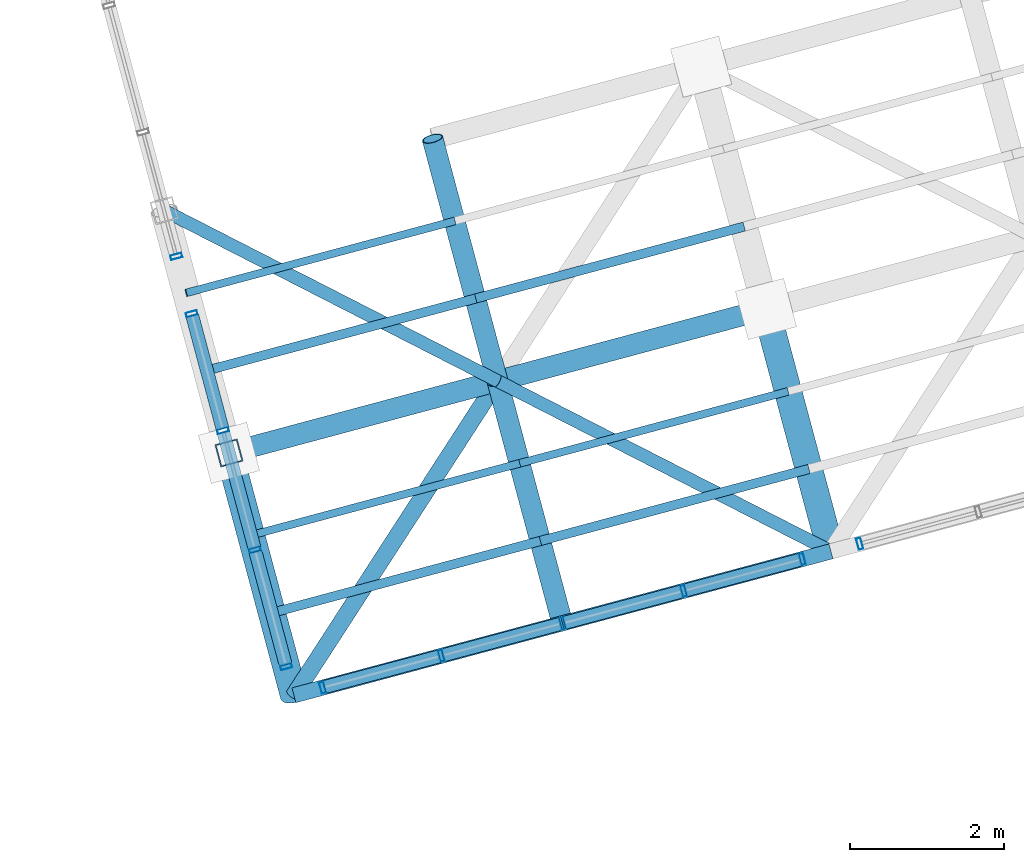
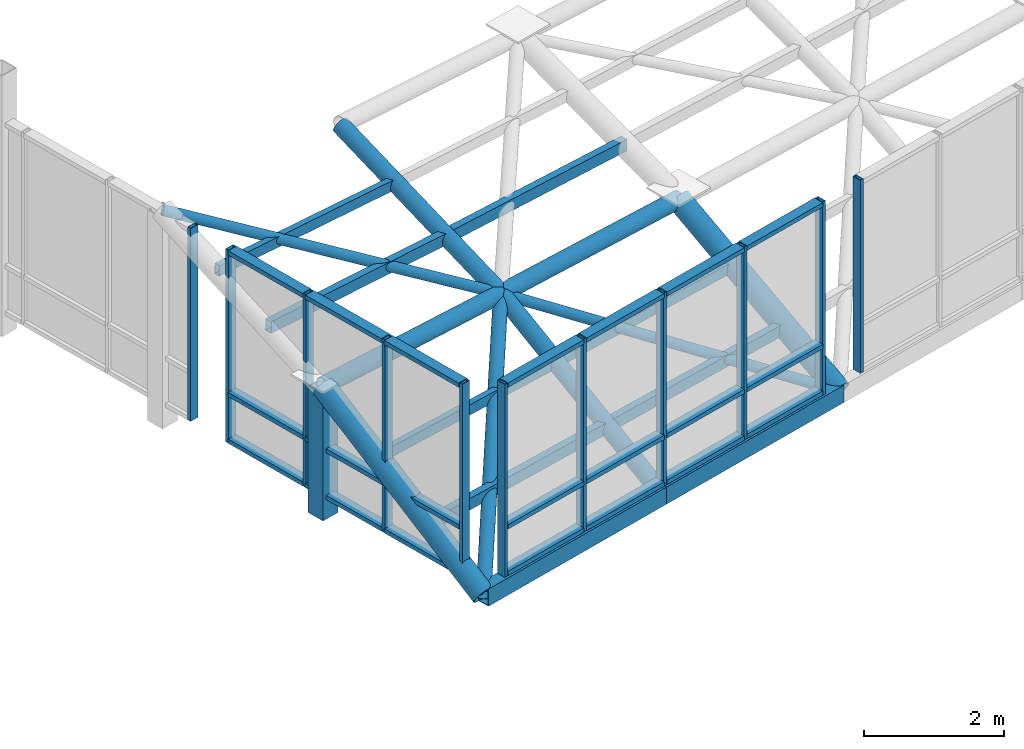
# One storey, part 2 of 29: 51 members, 4 elements without a shape of their own.
"""IFC4 building model written with IfcOpenShell, lengths in metres."""

import ifcopenshell
import ifcopenshell.guid

model = None  # the IFC model being written
_history = None  # IfcOwnerHistory: only IFC2X3 demands one
_inside = {}  # id of a spatial element -> (the spatial element, [elements in it])
_under = {}  # id of a project, library or spatial element -> (it, [spatial elements below it])
_declared = {}  # id of a project -> (the project, [libraries it declares])
_typed = {}  # id of a type object -> (the type object, [elements of that type])
_made_of = {}  # id of a material, layer set ... -> (it, [elements and type objects made of it])


def new_model(schema):
    """Start an empty IFC model of exactly this schema.

    Asked for "IFC4X3", IfcOpenShell would pick the latest addendum, in which some entities
    have other attributes; the version numbers below select the first issue.
    IFC2X3 requires an IfcOwnerHistory on every rooted entity: one is made here for all.
    """
    global model, _history
    if schema == "IFC4X3":
        model = ifcopenshell.file(schema_version=(4, 3, 0, 0))
    else:
        model = ifcopenshell.file(schema=schema)
    _inside.clear()
    _under.clear()
    _declared.clear()
    _typed.clear()
    _made_of.clear()
    _history = None
    if model.schema == "IFC2X3":
        org = make("IfcOrganization", Name="unknown")
        user = make(
            "IfcPersonAndOrganization",
            ThePerson=make("IfcPerson", FamilyName="unknown"),
            TheOrganization=org,
        )
        app = make(
            "IfcApplication",
            ApplicationDeveloper=org,
            Version="unknown",
            ApplicationFullName="unknown",
            ApplicationIdentifier="unknown",
        )
        _history = make(
            "IfcOwnerHistory",
            OwningUser=user,
            OwningApplication=app,
            ChangeAction="ADDED",
            CreationDate=0,
        )
    return model


def make(cls, **values):
    """One entity of the class cls with the attributes given. An attribute that is None is left unset."""
    return model.create_entity(
        cls, **{name: value for name, value in values.items() if value is not None}
    )


def rooted(cls, **values):
    """An entity with a GlobalId (a new one), such as an element, a storey or a relation."""
    return make(cls, GlobalId=ifcopenshell.guid.new(), OwnerHistory=_history, **values)


def si_unit(unit_type, name, prefix=None):
    """IfcSIUnit, for example si_unit("LENGTHUNIT", "METRE", prefix="MILLI")."""
    return make("IfcSIUnit", UnitType=unit_type, Prefix=prefix, Name=name)


def assignment(units):
    """IfcUnitAssignment: the units of a project."""
    return None if units is None else make("IfcUnitAssignment", Units=units)


def point(xyz):
    """IfcCartesianPoint."""
    return None if xyz is None else make("IfcCartesianPoint", Coordinates=xyz)


def direction(xyz):
    """IfcDirection."""
    return None if xyz is None else make("IfcDirection", DirectionRatios=xyz)


def frame(location, z_axis=None, x_axis=None):
    """IfcAxis2Placement3D, a coordinate frame: its origin and axes. An axis left out is left unset."""
    return make(
        "IfcAxis2Placement3D",
        Location=point(location),
        Axis=direction(z_axis),
        RefDirection=direction(x_axis),
    )


def frame_2d(location, x_axis=None):
    """IfcAxis2Placement2D, a coordinate frame in the plane: its origin and x axis."""
    return make(
        "IfcAxis2Placement2D", Location=point(location), RefDirection=direction(x_axis)
    )


def origin():
    """The frame at (0, 0, 0) with its axes left unset."""
    return frame((0.0, 0.0, 0.0))


def origin_2d():
    """The frame at (0, 0) in the plane with its x axis left unset."""
    return frame_2d((0.0, 0.0))


def place(relative_to, where):
    """IfcLocalPlacement: puts the frame where relative to a parent placement (None: the world)."""
    return make(
        "IfcLocalPlacement", PlacementRelTo=relative_to, RelativePlacement=where
    )


def context(
    kind, dimensions, precision=None, world=None, true_north=None, identifier=None
):
    """IfcGeometricRepresentationContext, for example the 3D "Model" context."""
    return make(
        "IfcGeometricRepresentationContext",
        ContextIdentifier=identifier,
        ContextType=kind,
        CoordinateSpaceDimension=dimensions,
        Precision=precision,
        WorldCoordinateSystem=world,
        TrueNorth=true_north,
    )


def subcontext(parent, identifier, kind, view, scale=None):
    """IfcGeometricRepresentationSubContext, for example "Body" below "Model"."""
    return make(
        "IfcGeometricRepresentationSubContext",
        ContextIdentifier=identifier,
        ContextType=kind,
        ParentContext=parent,
        TargetScale=scale,
        TargetView=view,
    )


def project(units=None, contexts=None):
    """IfcProject with its units and contexts."""
    return rooted(
        "IfcProject",
        Name="project",
        RepresentationContexts=contexts,
        UnitsInContext=assignment(units),
    )


def spatial(cls, under=None, at=None, **own):
    """A site, building, storey or space (cls), placed at a placement, below another one or the project."""
    s = rooted(cls, ObjectPlacement=at, **own)
    if under is not None:
        _under.setdefault(under.id(), (under, []))[1].append(s)
    return s


def profile(cls, at=None, kind="AREA", **sizes):
    """A parametric profile (cls). Its sizes go by their IFC names, for example OverallWidth=200.0."""
    return make(cls, ProfileType=kind, Position=at, **sizes)


def hollow_rectangle(**sizes):
    """IfcRectangleHollowProfileDef."""
    return profile("IfcRectangleHollowProfileDef", **sizes)


def hollow_circle(**sizes):
    """IfcCircleHollowProfileDef."""
    return profile("IfcCircleHollowProfileDef", **sizes)


def extrude(swept, where, along, depth):
    """IfcExtrudedAreaSolid: the profile swept, set in the frame where, extruded along a direction by depth."""
    return make(
        "IfcExtrudedAreaSolid",
        SweptArea=swept,
        Position=where,
        ExtrudedDirection=direction(along),
        Depth=depth,
    )


def shape(context_of_items, identifier, shape_type, items):
    """IfcShapeRepresentation: the items that make up one representation, for example the "Body"."""
    return make(
        "IfcShapeRepresentation",
        ContextOfItems=context_of_items,
        RepresentationIdentifier=identifier,
        RepresentationType=shape_type,
        Items=items,
    )


def material(Name=None, Category=None):
    """IfcMaterial."""
    return make("IfcMaterial", Name=Name, Category=Category)


def layer(
    of_material, thickness, ventilated=None, Name=None, Category=None, Priority=None
):
    """IfcMaterialLayer: one layer of a wall or slab, of a material (None: an air gap)."""
    return make(
        "IfcMaterialLayer",
        Material=of_material,
        LayerThickness=thickness,
        IsVentilated=ventilated,
        Name=Name,
        Category=Category,
        Priority=Priority,
    )


def layer_set(layers, Name=None):
    """IfcMaterialLayerSet."""
    return make("IfcMaterialLayerSet", MaterialLayers=layers, LayerSetName=Name)


def material_profile(
    of_material, cross_section, Name=None, Category=None, Priority=None
):
    """IfcMaterialProfile: a cross section and its material."""
    return make(
        "IfcMaterialProfile",
        Name=Name,
        Material=of_material,
        Profile=cross_section,
        Priority=Priority,
        Category=Category,
    )


def profile_set(profiles, Name=None, composite=None):
    """IfcMaterialProfileSet."""
    return make(
        "IfcMaterialProfileSet",
        Name=Name,
        MaterialProfiles=profiles,
        CompositeProfile=composite,
    )


def made_of(thing, what):
    """Note that an element or type object is made of a material, layer set ...; save() writes the relation."""
    if what is not None:
        _made_of.setdefault(what.id(), (what, []))[1].append(thing)
    return thing


def type_object(cls, material=None, **own):
    """A type object (cls), such as IfcWallType, which elements share."""
    return made_of(rooted(cls, **own), material)


def element(
    cls,
    number,
    at=None,
    inside=None,
    cuts=None,
    type_object=None,
    material=None,
    context=None,
    identifier="Body",
    shape_type=None,
    held_by="IfcProductDefinitionShape",
    body=None,
    shapes=None,
    **own,
):
    """One element of the class cls, such as IfcWall. Its Tag is "e" and its number.

    at: its placement. inside: the storey or other place that contains it. cuts: it is an
    opening in that element (IfcRelVoidsElement). A single representation is given by context,
    identifier, shape_type and body (its items); several are given by shapes. held_by: the class
    of the entity that holds the representations. save() writes the other relations.
    """
    e = rooted(cls, Tag="e%d" % number, ObjectPlacement=at, **own)
    if body is not None:
        shapes = [shape(context, identifier, shape_type, body)]
    if shapes is not None:
        e.Representation = make(held_by, Representations=shapes)
    if inside is not None:
        _inside.setdefault(inside.id(), (inside, []))[1].append(e)
    if cuts is not None:
        rooted(
            "IfcRelVoidsElement", RelatingBuildingElement=cuts, RelatedOpeningElement=e
        )
    if type_object is not None:
        _typed.setdefault(type_object.id(), (type_object, []))[1].append(e)
    return made_of(e, material)


def aggregate(whole, parts):
    """IfcRelAggregates: a whole, such as a stair, and the parts it consists of."""
    return rooted("IfcRelAggregates", RelatingObject=whole, RelatedObjects=parts)


def save(model, path):
    """Write the relations noted so far, then the file.

    IfcRelAggregates (storeys below a building ...), IfcRelContainedInSpatialStructure (elements
    in a storey), IfcRelDefinesByType, IfcRelAssociatesMaterial and IfcRelDeclares: one each for
    every whole, place, type object, material and project.
    """
    for whole, parts in _under.values():
        aggregate(whole, parts)
    for where, things in _inside.values():
        rooted(
            "IfcRelContainedInSpatialStructure",
            RelatedElements=things,
            RelatingStructure=where,
        )
    for kind, things in _typed.values():
        rooted("IfcRelDefinesByType", RelatedObjects=things, RelatingType=kind)
    for what, things in _made_of.values():
        rooted("IfcRelAssociatesMaterial", RelatedObjects=things, RelatingMaterial=what)
    for by, libraries in _declared.values():
        rooted("IfcRelDeclares", RelatingContext=by, RelatedDefinitions=libraries)
    model.write(path)


model = new_model("IFC4")

# Units and contexts
model_context = context("Model", 3, precision=1e-05, world=origin(), true_north=direction((0.0, 1.0)))
body_context = subcontext(model_context, "Body", "Model", "MODEL_VIEW")
ifc_project = project(units=[si_unit("LENGTHUNIT", "METRE"), si_unit("AREAUNIT", "SQUARE_METRE"), si_unit("VOLUMEUNIT", "CUBIC_METRE"), si_unit("PLANEANGLEUNIT", "RADIAN"), si_unit("MASSUNIT", "GRAM", prefix="KILO")], contexts=[model_context])

# Site, building, storey
site_placement = place(None, origin())
site = spatial("IfcSite", under=ifc_project, at=site_placement, CompositionType="ELEMENT")
building_placement = place(site_placement, origin())
building = spatial("IfcBuilding", under=site, at=building_placement, Name="Ventoquebrada Cableway Terminal", CompositionType="ELEMENT")
storey_placement = place(building_placement, frame((0.0, 0.0, 18.89990234375)))
storey = spatial("IfcBuildingStorey", under=building, at=storey_placement, Name="L04", CompositionType="ELEMENT", Elevation=18.89990234375)

# Members
ifc_material_1 = material(Name="Steel ASTM A500 Grade C", Category="steel")
ifc_material_profile_1 = material_profile(ifc_material_1, hollow_circle(Radius=0.109619140625, WallThickness=0.010009765625, at=origin_2d()), Name="CHS219.1X10")
ifc_profile_set_1 = profile_set([ifc_material_profile_1], Name="Steel ASTM A500 Grade C")
member_type_1 = type_object("IfcMemberType", Name="BRC-GS01", PredefinedType="BRACE", material=ifc_profile_set_1)
member_1_placement = place(storey_placement, frame((51.97802734375, 69.783935546875, 0.920166015625), z_axis=(0.506875613407, 0.78282401163, 0.360920599785), x_axis=(-0.839402648036, 0.543510068416, 0.0)))
element("IfcMember", 1, at=member_1_placement, inside=storey, type_object=member_type_1, Name="Saddle gridshell diagrid brace GBR-0193", PredefinedType="BRACE", context=body_context, shape_type="SweptSolid", body=[
    extrude(hollow_circle(Radius=0.109619140625, WallThickness=0.010009765625, at=origin_2d()), origin(), (0.0, 0.0, 1.0), 5.200439453125),
])
ifc_material_profile_2 = material_profile(ifc_material_1, hollow_circle(Radius=0.084228515625, WallThickness=0.008056640625, at=origin_2d()), Name="CHS168.3X8")
ifc_profile_set_2 = profile_set([ifc_material_profile_2], Name="Steel ASTM A500 Grade C")
member_type_2 = type_object("IfcMemberType", Name="BRC-GS02", PredefinedType="BRACE", material=ifc_profile_set_2)
member_2_placement = place(storey_placement, frame((50.2958984375, 76.06298828125, 4.43017578125), z_axis=(0.84380218038, -0.431466439722, -0.319115326769), x_axis=(0.455269816893, 0.890353521825, 0.0)))
element("IfcMember", 2, at=member_2_placement, inside=storey, type_object=member_type_2, Name="Saddle gridshell diagrid brace GBR-0196", PredefinedType="BRACE", context=body_context, shape_type="SweptSolid", body=[
    extrude(hollow_circle(Radius=0.084228515625, WallThickness=0.008056640625, at=origin_2d()), origin(), (0.0, 0.0, 1.0), 5.117431640625),
])
member_3_placement = place(storey_placement, frame((54.614013671875, 73.85498046875, 2.797119140625), z_axis=(0.830464152068, -0.424362440489, -0.360895845407), x_axis=(0.455028578566, 0.890476834448, 0.0)))
element("IfcMember", 3, at=member_3_placement, inside=storey, type_object=member_type_2, Name="Saddle gridshell diagrid brace GBR-0217", PredefinedType="BRACE", context=body_context, shape_type="SweptSolid", body=[
    extrude(hollow_circle(Radius=0.084228515625, WallThickness=0.008056640625, at=origin_2d()), origin(), (0.0, 0.0, 1.0), 5.200927734375),
])
ifc_material_profile_3 = material_profile(ifc_material_1, hollow_circle(Radius=0.177734375, WallThickness=0.012451171875, at=origin_2d()), Name="CHS355.6X12.5")
ifc_profile_set_3 = profile_set([ifc_material_profile_3], Name="Steel ASTM A500 Grade C")
member_type_3 = type_object("IfcMemberType", Name="CHD-GS01", PredefinedType="CHORD", material=ifc_profile_set_3)
member_4_placement = place(storey_placement, frame((51.97802734375, 69.783935546875, 0.920166015625), z_axis=(-0.218984040485, 0.817328531946, 0.532935325232), x_axis=(-0.965931285943, -0.258798668539, 0.0)))
element("IfcMember", 4, at=member_4_placement, inside=storey, type_object=member_type_3, Name="Saddle gridshell arch chord GCH-0015", PredefinedType="CHORD", context=body_context, shape_type="SweptSolid", body=[
    extrude(hollow_circle(Radius=0.177734375, WallThickness=0.012451171875, at=origin_2d()), origin(), (0.0, 0.0, 1.0), 3.8408203125),
])
member_5_placement = place(storey_placement, frame((58.93310546875, 71.64794921875, 0.920166015625), z_axis=(-0.228263792959, 0.850975891524, 0.473007053719), x_axis=(-0.965856133614, -0.259079001776, 0.0)))
element("IfcMember", 5, at=member_5_placement, inside=storey, type_object=member_type_3, Name="Saddle gridshell arch chord GCH-0031", PredefinedType="CHORD", context=body_context, shape_type="SweptSolid", body=[
    extrude(hollow_circle(Radius=0.177734375, WallThickness=0.012451171875, at=origin_2d()), origin(), (0.0, 0.0, 1.0), 3.68896484375),
])
ifc_material_profile_4 = material_profile(ifc_material_1, hollow_circle(Radius=0.136474609375, WallThickness=0.012451171875, at=origin_2d()), Name="CHS273.0X12.5")
ifc_profile_set_4 = profile_set([ifc_material_profile_4], Name="Steel ASTM A500 Grade C")
member_type_4 = type_object("IfcMemberType", Name="CHD-GS02", PredefinedType="CHORD", material=ifc_profile_set_4)
member_6_placement = place(storey_placement, frame((55.455078125, 70.716064453125, 0.920166015625), z_axis=(-0.224119470916, 0.836430780135, 0.500153989086), x_axis=(-0.965926253902, -0.258817449225, 0.0)))
element("IfcMember", 6, at=member_6_placement, inside=storey, type_object=member_type_4, Name="Saddle gridshell arch chord GCH-0023", PredefinedType="CHORD", context=body_context, shape_type="SweptSolid", body=[
    extrude(hollow_circle(Radius=0.136474609375, WallThickness=0.012451171875, at=origin_2d()), origin(), (0.0, 0.0, 1.0), 3.752685546875),
])
member_7_placement = place(storey_placement, frame((54.614013671875, 73.85498046875, 2.797119140625), z_axis=(-0.239245616629, 0.892882697532, 0.381473489737), x_axis=(-0.965926253902, -0.258817449225, 0.0)))
element("IfcMember", 7, at=member_7_placement, inside=storey, type_object=member_type_4, Name="Saddle gridshell arch chord GCH-0024", PredefinedType="CHORD", context=body_context, shape_type="SweptSolid", body=[
    extrude(hollow_circle(Radius=0.136474609375, WallThickness=0.012451171875, at=origin_2d()), origin(), (0.0, 0.0, 1.0), 3.515380859375),
])
member_8_placement = place(storey_placement, frame((51.136962890625, 72.923095703125, 2.967041015625), z_axis=(0.964836795934, 0.258586016717, -0.047151131159), x_axis=(-0.258873944891, 0.965911114263, 0.0)))
element("IfcMember", 8, at=member_8_placement, inside=storey, type_object=member_type_4, Name="Saddle gridshell longitudinal chord GLG-0113", PredefinedType="CHORD", context=body_context, shape_type="SweptSolid", body=[
    extrude(hollow_circle(Radius=0.136474609375, WallThickness=0.012451171875, at=origin_2d()), origin(), (0.0, 0.0, 1.0), 3.603759765625),
])
member_9_placement = place(storey_placement, frame((54.614013671875, 73.85498046875, 2.797119140625), z_axis=(0.965244663077, 0.258763103751, -0.036666013392), x_axis=(-0.258937219442, 0.965894153822, 0.0)))
element("IfcMember", 9, at=member_9_placement, inside=storey, type_object=member_type_4, Name="Saddle gridshell longitudinal chord GLG-0114", PredefinedType="CHORD", context=body_context, shape_type="SweptSolid", body=[
    extrude(hollow_circle(Radius=0.136474609375, WallThickness=0.012451171875, at=origin_2d()), origin(), (0.0, 0.0, 1.0), 3.602294921875),
])
ifc_material_profile_5 = material_profile(ifc_material_1, hollow_rectangle(XDim=0.199951171875, YDim=0.300048828125, WallThickness=0.012451171875, at=origin_2d()), Name="RHS300X200X12.5")
ifc_profile_set_5 = profile_set([ifc_material_profile_5], Name="Steel ASTM A500 Grade C")
member_type_5 = type_object("IfcMemberType", Name="CHD-GS03", PredefinedType="CHORD", material=ifc_profile_set_5)
member_10_placement = place(storey_placement, frame((51.97802734375, 69.783935546875, 0.920166015625), z_axis=(0.965894153822, 0.258937219442, 0.0), x_axis=(-0.258937219442, 0.965894153822, 0.0)))
element("IfcMember", 10, at=member_10_placement, inside=storey, type_object=member_type_5, Name="Saddle gridshell longitudinal chord GLG-0103", PredefinedType="CHORD", context=body_context, shape_type="SweptSolid", body=[
    extrude(hollow_rectangle(XDim=0.199951171875, YDim=0.300048828125, WallThickness=0.012451171875, at=origin_2d()), origin(), (0.0, 0.0, 1.0), 3.599853515625),
])
member_11_placement = place(storey_placement, frame((55.455078125, 70.716064453125, 0.920166015625), z_axis=(0.965929287495, 0.25880612736, 0.0), x_axis=(-0.25880612736, 0.965929287495, 0.0)))
element("IfcMember", 11, at=member_11_placement, inside=storey, type_object=member_type_5, Name="Saddle gridshell longitudinal chord GLG-0104", PredefinedType="CHORD", context=body_context, shape_type="SweptSolid", body=[
    extrude(hollow_rectangle(XDim=0.199951171875, YDim=0.300048828125, WallThickness=0.012451171875, at=origin_2d()), origin(), (0.0, 0.0, 1.0), 3.6005859375),
])

# Curtain wall, members
ifc_material_2 = material(Name="Anodized thermally-broken aluminium", Category="aluminium")
ifc_layer_1 = layer(ifc_material_2, 0.159912109375)
ifc_layer_set_1 = layer_set([ifc_layer_1], Name="Anodized thermally-broken aluminium")
curtain_wall_type_1 = type_object("IfcCurtainWallType", Name="CW-T45", PredefinedType="USERDEFINED", material=ifc_layer_set_1)
curtain_wall_1_placement = place(storey_placement, origin())
curtain_wall_1 = element("IfcCurtainWall", 12, at=curtain_wall_1_placement, inside=storey, type_object=curtain_wall_type_1, Name="Unitised glazed curtain wall CW-133", ObjectType="UNITISED CURTAIN WALL", PredefinedType="USERDEFINED")
ifc_material_profile_6 = material_profile(ifc_material_2, hollow_rectangle(XDim=0.06005859375, YDim=0.14990234375, WallThickness=0.00390625, at=origin_2d()), Name="CW-MUL-60X150")
ifc_profile_set_6 = profile_set([ifc_material_profile_6], Name="Anodized thermally-broken aluminium")
member_type_6 = type_object("IfcMemberType", Name="CWM-03", PredefinedType="MULLION", material=ifc_profile_set_6)
member_12_placement = place(storey_placement, frame((52.35009765625, 69.884033203125, 1.087158203125), z_axis=(0.0, 0.0, 1.0), x_axis=(0.965943892913, 0.258751610128, 0.0)))
member_12 = element("IfcMember", 13, at=member_12_placement, type_object=member_type_6, Name="Curtain wall mullion FML-0646", PredefinedType="MULLION", context=body_context, shape_type="SweptSolid", body=[
    extrude(hollow_rectangle(XDim=0.06005859375, YDim=0.14990234375, WallThickness=0.00390625, at=origin_2d()), origin(), (0.0, 0.0, 1.0), 3.373046875),
])
member_13_placement = place(storey_placement, frame((53.885986328125, 70.2958984375, 1.087158203125), z_axis=(0.0, 0.0, 1.0), x_axis=(0.965943892913, 0.258751610128, 0.0)))
member_13 = element("IfcMember", 14, at=member_13_placement, type_object=member_type_6, Name="Curtain wall mullion FML-0647", PredefinedType="MULLION", context=body_context, shape_type="SweptSolid", body=[
    extrude(hollow_rectangle(XDim=0.06005859375, YDim=0.14990234375, WallThickness=0.00390625, at=origin_2d()), origin(), (0.0, 0.0, 1.0), 3.373046875),
])
member_14_placement = place(storey_placement, frame((55.4560546875, 70.716064453125, 1.087158203125), z_axis=(0.0, 0.0, 1.0), x_axis=(0.965943892913, 0.258751610128, 0.0)))
member_14 = element("IfcMember", 15, at=member_14_placement, type_object=member_type_6, Name="Curtain wall mullion FML-0648", PredefinedType="MULLION", context=body_context, shape_type="SweptSolid", body=[
    extrude(hollow_rectangle(XDim=0.06005859375, YDim=0.14990234375, WallThickness=0.00390625, at=origin_2d()), origin(), (0.0, 0.0, 1.0), 3.373046875),
])
member_15_placement = place(storey_placement, frame((57.02490234375, 71.135986328125, 1.087158203125), z_axis=(0.0, 0.0, 1.0), x_axis=(0.965943892913, 0.258751610128, 0.0)))
member_15 = element("IfcMember", 16, at=member_15_placement, type_object=member_type_6, Name="Curtain wall mullion FML-0649", PredefinedType="MULLION", context=body_context, shape_type="SweptSolid", body=[
    extrude(hollow_rectangle(XDim=0.06005859375, YDim=0.14990234375, WallThickness=0.00390625, at=origin_2d()), origin(), (0.0, 0.0, 1.0), 3.373046875),
])
member_16_placement = place(storey_placement, frame((58.56103515625, 71.548095703125, 1.087158203125), z_axis=(0.0, 0.0, 1.0), x_axis=(0.965943892913, 0.258751610128, 0.0)))
member_16 = element("IfcMember", 17, at=member_16_placement, type_object=member_type_6, Name="Curtain wall mullion FML-0650", PredefinedType="MULLION", context=body_context, shape_type="SweptSolid", body=[
    extrude(hollow_rectangle(XDim=0.06005859375, YDim=0.14990234375, WallThickness=0.00390625, at=origin_2d()), origin(), (0.0, 0.0, 1.0), 3.373046875),
])

# Curtain wall, member
curtain_wall_2_placement = place(storey_placement, origin())
curtain_wall_2 = element("IfcCurtainWall", 18, at=curtain_wall_2_placement, inside=storey, type_object=curtain_wall_type_1, Name="Unitised glazed curtain wall CW-134", ObjectType="UNITISED CURTAIN WALL", PredefinedType="USERDEFINED")
member_17_placement = place(storey_placement, frame((59.304931640625, 71.7470703125, 1.087158203125), z_axis=(0.0, 0.0, 1.0), x_axis=(0.965894198369, 0.258937053273, 0.0)))
member_17 = element("IfcMember", 19, at=member_17_placement, type_object=member_type_6, Name="Curtain wall mullion FML-0651", PredefinedType="MULLION", context=body_context, shape_type="SweptSolid", body=[
    extrude(hollow_rectangle(XDim=0.06005859375, YDim=0.14990234375, WallThickness=0.00390625, at=origin_2d()), origin(), (0.0, 0.0, 1.0), 3.373046875),
])
aggregate(curtain_wall_2, [member_17])

# Curtain wall, members
ifc_layer_2 = layer(ifc_material_2, 0.159912109375)
ifc_layer_set_2 = layer_set([ifc_layer_2], Name="Anodized thermally-broken aluminium")
curtain_wall_type_2 = type_object("IfcCurtainWallType", Name="CW-T46", PredefinedType="USERDEFINED", material=ifc_layer_set_2)
curtain_wall_3_placement = place(storey_placement, origin())
curtain_wall_3 = element("IfcCurtainWall", 20, at=curtain_wall_3_placement, inside=storey, type_object=curtain_wall_type_2, Name="Unitised glazed curtain wall CW-143", ObjectType="UNITISED CURTAIN WALL", PredefinedType="USERDEFINED")
member_18_placement = place(storey_placement, frame((50.654052734375, 74.72509765625, 1.087158203125), z_axis=(0.0, 0.0, 1.0), x_axis=(0.258717892168, -0.96595292446, 0.0)))
member_18 = element("IfcMember", 21, at=member_18_placement, type_object=member_type_6, Name="Curtain wall mullion FML-0696", PredefinedType="MULLION", context=body_context, shape_type="SweptSolid", body=[
    extrude(hollow_rectangle(XDim=0.06005859375, YDim=0.14990234375, WallThickness=0.00390625, at=origin_2d()), origin(), (0.0, 0.0, 1.0), 3.373046875),
])
member_19_placement = place(storey_placement, frame((51.05908203125, 73.212890625, 1.087158203125), z_axis=(0.0, 0.0, 1.0), x_axis=(0.258717892168, -0.96595292446, 0.0)))
member_19 = element("IfcMember", 22, at=member_19_placement, type_object=member_type_6, Name="Curtain wall mullion FML-0697", PredefinedType="MULLION", context=body_context, shape_type="SweptSolid", body=[
    extrude(hollow_rectangle(XDim=0.06005859375, YDim=0.14990234375, WallThickness=0.00390625, at=origin_2d()), origin(), (0.0, 0.0, 1.0), 3.373046875),
])
member_20_placement = place(storey_placement, frame((51.472900390625, 71.66796875, 1.087158203125), z_axis=(0.0, 0.0, 1.0), x_axis=(0.258717892168, -0.96595292446, 0.0)))
member_20 = element("IfcMember", 23, at=member_20_placement, type_object=member_type_6, Name="Curtain wall mullion FML-0698", PredefinedType="MULLION", context=body_context, shape_type="SweptSolid", body=[
    extrude(hollow_rectangle(XDim=0.06005859375, YDim=0.14990234375, WallThickness=0.00390625, at=origin_2d()), origin(), (0.0, 0.0, 1.0), 3.373046875),
])
member_21_placement = place(storey_placement, frame((51.8779296875, 70.156005859375, 1.087158203125), z_axis=(0.0, 0.0, 1.0), x_axis=(0.258717892168, -0.96595292446, 0.0)))
member_21 = element("IfcMember", 24, at=member_21_placement, type_object=member_type_6, Name="Curtain wall mullion FML-0699", PredefinedType="MULLION", context=body_context, shape_type="SweptSolid", body=[
    extrude(hollow_rectangle(XDim=0.06005859375, YDim=0.14990234375, WallThickness=0.00390625, at=origin_2d()), origin(), (0.0, 0.0, 1.0), 3.373046875),
])

# Curtain wall, member
ifc_layer_3 = layer(ifc_material_2, 0.159912109375)
ifc_layer_set_3 = layer_set([ifc_layer_3], Name="Anodized thermally-broken aluminium")
curtain_wall_type_3 = type_object("IfcCurtainWallType", Name="CW-T47", PredefinedType="USERDEFINED", material=ifc_layer_set_3)
curtain_wall_4_placement = place(storey_placement, origin())
curtain_wall_4 = element("IfcCurtainWall", 25, at=curtain_wall_4_placement, inside=storey, type_object=curtain_wall_type_3, Name="Unitised glazed curtain wall CW-144", ObjectType="UNITISED CURTAIN WALL", PredefinedType="USERDEFINED")
member_22_placement = place(storey_placement, frame((50.455078125, 75.468994140625, 1.087158203125), z_axis=(0.0, 0.0, 1.0), x_axis=(0.258835903649, -0.965921308897, 0.0)))
member_22 = element("IfcMember", 26, at=member_22_placement, type_object=member_type_6, Name="Curtain wall mullion FML-0704", PredefinedType="MULLION", context=body_context, shape_type="SweptSolid", body=[
    extrude(hollow_rectangle(XDim=0.06005859375, YDim=0.14990234375, WallThickness=0.00390625, at=origin_2d()), origin(), (0.0, 0.0, 1.0), 3.373046875),
])
aggregate(curtain_wall_4, [member_22])

# Member
ifc_material_profile_7 = material_profile(ifc_material_2, hollow_rectangle(XDim=0.074951171875, YDim=0.169921875, WallThickness=0.00439453125, at=origin_2d()), Name="CW-TRN-75X170")
ifc_profile_set_7 = profile_set([ifc_material_profile_7], Name="Anodized thermally-broken aluminium")
member_type_7 = type_object("IfcMemberType", Name="CWT-03", PredefinedType="USERDEFINED", material=ifc_profile_set_7)
member_23_placement = place(storey_placement, frame((52.3740234375, 69.89111328125, 1.130126953125), z_axis=(0.966050544784, 0.25835313995, 0.0), x_axis=(0.0, 0.0, 1.0)))
member_23 = element("IfcMember", 27, at=member_23_placement, type_object=member_type_7, Name="Curtain wall transom FTR-1920", ObjectType="TRANSOM", PredefinedType="USERDEFINED", context=body_context, shape_type="SweptSolid", body=[
    extrude(hollow_rectangle(XDim=0.074951171875, YDim=0.169921875, WallThickness=0.00439453125, at=origin_2d()), origin(), (0.0, 0.0, 1.0), 1.540283203125),
])

member_24_placement = place(storey_placement, frame((52.3740234375, 69.89111328125, 1.945068359375), z_axis=(0.966050544784, 0.25835313995, 0.0), x_axis=(0.0, 0.0, 1.0)))
member_24 = element("IfcMember", 28, at=member_24_placement, type_object=member_type_7, Name="Curtain wall transom FTR-1921", ObjectType="TRANSOM", PredefinedType="USERDEFINED", context=body_context, shape_type="SweptSolid", body=[
    extrude(hollow_rectangle(XDim=0.074951171875, YDim=0.169921875, WallThickness=0.00439453125, at=origin_2d()), origin(), (0.0, 0.0, 1.0), 1.540283203125),
])

member_25_placement = place(storey_placement, frame((52.3740234375, 69.89111328125, 4.420166015625), z_axis=(0.966050544784, 0.25835313995, 0.0), x_axis=(0.0, 0.0, 1.0)))
member_25 = element("IfcMember", 29, at=member_25_placement, type_object=member_type_7, Name="Curtain wall transom FTR-1922", ObjectType="TRANSOM", PredefinedType="USERDEFINED", context=body_context, shape_type="SweptSolid", body=[
    extrude(hollow_rectangle(XDim=0.074951171875, YDim=0.169921875, WallThickness=0.00439453125, at=origin_2d()), origin(), (0.0, 0.0, 1.0), 1.540283203125),
])

member_26_placement = place(storey_placement, frame((53.909912109375, 70.302001953125, 1.130126953125), z_axis=(0.965860816082, 0.259061544731, 0.0), x_axis=(0.0, 0.0, 1.0)))
member_26 = element("IfcMember", 30, at=member_26_placement, type_object=member_type_7, Name="Curtain wall transom FTR-1923", ObjectType="TRANSOM", PredefinedType="USERDEFINED", context=body_context, shape_type="SweptSolid", body=[
    extrude(hollow_rectangle(XDim=0.074951171875, YDim=0.169921875, WallThickness=0.00439453125, at=origin_2d()), origin(), (0.0, 0.0, 1.0), 1.57470703125),
])

member_27_placement = place(storey_placement, frame((53.909912109375, 70.302001953125, 1.945068359375), z_axis=(0.965860816082, 0.259061544731, 0.0), x_axis=(0.0, 0.0, 1.0)))
member_27 = element("IfcMember", 31, at=member_27_placement, type_object=member_type_7, Name="Curtain wall transom FTR-1924", ObjectType="TRANSOM", PredefinedType="USERDEFINED", context=body_context, shape_type="SweptSolid", body=[
    extrude(hollow_rectangle(XDim=0.074951171875, YDim=0.169921875, WallThickness=0.00439453125, at=origin_2d()), origin(), (0.0, 0.0, 1.0), 1.57470703125),
])

member_28_placement = place(storey_placement, frame((53.909912109375, 70.302001953125, 4.420166015625), z_axis=(0.965860816082, 0.259061544731, 0.0), x_axis=(0.0, 0.0, 1.0)))
member_28 = element("IfcMember", 32, at=member_28_placement, type_object=member_type_7, Name="Curtain wall transom FTR-1925", ObjectType="TRANSOM", PredefinedType="USERDEFINED", context=body_context, shape_type="SweptSolid", body=[
    extrude(hollow_rectangle(XDim=0.074951171875, YDim=0.169921875, WallThickness=0.00439453125, at=origin_2d()), origin(), (0.0, 0.0, 1.0), 1.57470703125),
])

member_29_placement = place(storey_placement, frame((55.47998046875, 70.721923828125, 1.130126953125), z_axis=(0.965860816082, 0.259061544731, 0.0), x_axis=(0.0, 0.0, 1.0)))
member_29 = element("IfcMember", 33, at=member_29_placement, type_object=member_type_7, Name="Curtain wall transom FTR-1926", ObjectType="TRANSOM", PredefinedType="USERDEFINED", context=body_context, shape_type="SweptSolid", body=[
    extrude(hollow_rectangle(XDim=0.074951171875, YDim=0.169921875, WallThickness=0.00439453125, at=origin_2d()), origin(), (0.0, 0.0, 1.0), 1.57470703125),
])

member_30_placement = place(storey_placement, frame((55.47998046875, 70.721923828125, 1.945068359375), z_axis=(0.965860816082, 0.259061544731, 0.0), x_axis=(0.0, 0.0, 1.0)))
member_30 = element("IfcMember", 34, at=member_30_placement, type_object=member_type_7, Name="Curtain wall transom FTR-1927", ObjectType="TRANSOM", PredefinedType="USERDEFINED", context=body_context, shape_type="SweptSolid", body=[
    extrude(hollow_rectangle(XDim=0.074951171875, YDim=0.169921875, WallThickness=0.00439453125, at=origin_2d()), origin(), (0.0, 0.0, 1.0), 1.57470703125),
])

member_31_placement = place(storey_placement, frame((55.47998046875, 70.721923828125, 4.420166015625), z_axis=(0.965860816082, 0.259061544731, 0.0), x_axis=(0.0, 0.0, 1.0)))
member_31 = element("IfcMember", 35, at=member_31_placement, type_object=member_type_7, Name="Curtain wall transom FTR-1928", ObjectType="TRANSOM", PredefinedType="USERDEFINED", context=body_context, shape_type="SweptSolid", body=[
    extrude(hollow_rectangle(XDim=0.074951171875, YDim=0.169921875, WallThickness=0.00439453125, at=origin_2d()), origin(), (0.0, 0.0, 1.0), 1.57470703125),
])

member_32_placement = place(storey_placement, frame((57.049072265625, 71.14306640625, 1.130126953125), z_axis=(0.966050544784, 0.25835313995, 0.0), x_axis=(0.0, 0.0, 1.0)))
member_32 = element("IfcMember", 36, at=member_32_placement, type_object=member_type_7, Name="Curtain wall transom FTR-1929", ObjectType="TRANSOM", PredefinedType="USERDEFINED", context=body_context, shape_type="SweptSolid", body=[
    extrude(hollow_rectangle(XDim=0.074951171875, YDim=0.169921875, WallThickness=0.00439453125, at=origin_2d()), origin(), (0.0, 0.0, 1.0), 1.540283203125),
])

member_33_placement = place(storey_placement, frame((57.049072265625, 71.14306640625, 1.945068359375), z_axis=(0.966050544784, 0.25835313995, 0.0), x_axis=(0.0, 0.0, 1.0)))
member_33 = element("IfcMember", 37, at=member_33_placement, type_object=member_type_7, Name="Curtain wall transom FTR-1930", ObjectType="TRANSOM", PredefinedType="USERDEFINED", context=body_context, shape_type="SweptSolid", body=[
    extrude(hollow_rectangle(XDim=0.074951171875, YDim=0.169921875, WallThickness=0.00439453125, at=origin_2d()), origin(), (0.0, 0.0, 1.0), 1.540283203125),
])

member_34_placement = place(storey_placement, frame((57.049072265625, 71.14306640625, 4.420166015625), z_axis=(0.966050544784, 0.25835313995, 0.0), x_axis=(0.0, 0.0, 1.0)))
member_34 = element("IfcMember", 38, at=member_34_placement, type_object=member_type_7, Name="Curtain wall transom FTR-1931", ObjectType="TRANSOM", PredefinedType="USERDEFINED", context=body_context, shape_type="SweptSolid", body=[
    extrude(hollow_rectangle(XDim=0.074951171875, YDim=0.169921875, WallThickness=0.00439453125, at=origin_2d()), origin(), (0.0, 0.0, 1.0), 1.540283203125),
])

aggregate(curtain_wall_1, [member_12, member_13, member_14, member_15, member_16, member_23, member_24, member_25, member_26, member_27, member_28, member_29, member_30, member_31, member_32, member_33, member_34])

member_35_placement = place(storey_placement, frame((50.660888671875, 74.700927734375, 1.130126953125), z_axis=(0.258725348456, -0.965950927359, 0.0), x_axis=(0.0, 0.0, 1.0)))
member_35 = element("IfcMember", 39, at=member_35_placement, type_object=member_type_7, Name="Curtain wall transom FTR-2040", ObjectType="TRANSOM", PredefinedType="USERDEFINED", context=body_context, shape_type="SweptSolid", body=[
    extrude(hollow_rectangle(XDim=0.074951171875, YDim=0.169921875, WallThickness=0.00439453125, at=origin_2d()), origin(), (0.0, 0.0, 1.0), 1.515380859375),
])

member_36_placement = place(storey_placement, frame((50.660888671875, 74.700927734375, 1.945068359375), z_axis=(0.258725348456, -0.965950927359, 0.0), x_axis=(0.0, 0.0, 1.0)))
member_36 = element("IfcMember", 40, at=member_36_placement, type_object=member_type_7, Name="Curtain wall transom FTR-2041", ObjectType="TRANSOM", PredefinedType="USERDEFINED", context=body_context, shape_type="SweptSolid", body=[
    extrude(hollow_rectangle(XDim=0.074951171875, YDim=0.169921875, WallThickness=0.00439453125, at=origin_2d()), origin(), (0.0, 0.0, 1.0), 1.515380859375),
])

member_37_placement = place(storey_placement, frame((50.660888671875, 74.700927734375, 4.420166015625), z_axis=(0.258725348456, -0.965950927359, 0.0), x_axis=(0.0, 0.0, 1.0)))
member_37 = element("IfcMember", 41, at=member_37_placement, type_object=member_type_7, Name="Curtain wall transom FTR-2042", ObjectType="TRANSOM", PredefinedType="USERDEFINED", context=body_context, shape_type="SweptSolid", body=[
    extrude(hollow_rectangle(XDim=0.074951171875, YDim=0.169921875, WallThickness=0.00439453125, at=origin_2d()), origin(), (0.0, 0.0, 1.0), 1.515380859375),
])

member_38_placement = place(storey_placement, frame((51.06494140625, 73.18896484375, 1.130126953125), z_axis=(0.259397314556, -0.965770693903, 0.0), x_axis=(0.0, 0.0, 1.0)))
member_38 = element("IfcMember", 42, at=member_38_placement, type_object=member_type_7, Name="Curtain wall transom FTR-2043", ObjectType="TRANSOM", PredefinedType="USERDEFINED", context=body_context, shape_type="SweptSolid", body=[
    extrude(hollow_rectangle(XDim=0.074951171875, YDim=0.169921875, WallThickness=0.00439453125, at=origin_2d()), origin(), (0.0, 0.0, 1.0), 1.550048828125),
])

member_39_placement = place(storey_placement, frame((51.06494140625, 73.18896484375, 1.945068359375), z_axis=(0.259397314556, -0.965770693903, 0.0), x_axis=(0.0, 0.0, 1.0)))
member_39 = element("IfcMember", 43, at=member_39_placement, type_object=member_type_7, Name="Curtain wall transom FTR-2044", ObjectType="TRANSOM", PredefinedType="USERDEFINED", context=body_context, shape_type="SweptSolid", body=[
    extrude(hollow_rectangle(XDim=0.074951171875, YDim=0.169921875, WallThickness=0.00439453125, at=origin_2d()), origin(), (0.0, 0.0, 1.0), 1.550048828125),
])

member_40_placement = place(storey_placement, frame((51.06494140625, 73.18896484375, 4.420166015625), z_axis=(0.259397314556, -0.965770693903, 0.0), x_axis=(0.0, 0.0, 1.0)))
member_40 = element("IfcMember", 44, at=member_40_placement, type_object=member_type_7, Name="Curtain wall transom FTR-2045", ObjectType="TRANSOM", PredefinedType="USERDEFINED", context=body_context, shape_type="SweptSolid", body=[
    extrude(hollow_rectangle(XDim=0.074951171875, YDim=0.169921875, WallThickness=0.00439453125, at=origin_2d()), origin(), (0.0, 0.0, 1.0), 1.550048828125),
])

member_41_placement = place(storey_placement, frame((51.47900390625, 71.64404296875, 1.130126953125), z_axis=(0.258685093224, -0.965961708632, 0.0), x_axis=(0.0, 0.0, 1.0)))
member_41 = element("IfcMember", 45, at=member_41_placement, type_object=member_type_7, Name="Curtain wall transom FTR-2046", ObjectType="TRANSOM", PredefinedType="USERDEFINED", context=body_context, shape_type="SweptSolid", body=[
    extrude(hollow_rectangle(XDim=0.074951171875, YDim=0.169921875, WallThickness=0.00439453125, at=origin_2d()), origin(), (0.0, 0.0, 1.0), 1.515625),
])

member_42_placement = place(storey_placement, frame((51.47900390625, 71.64404296875, 1.945068359375), z_axis=(0.258685093224, -0.965961708632, 0.0), x_axis=(0.0, 0.0, 1.0)))
member_42 = element("IfcMember", 46, at=member_42_placement, type_object=member_type_7, Name="Curtain wall transom FTR-2047", ObjectType="TRANSOM", PredefinedType="USERDEFINED", context=body_context, shape_type="SweptSolid", body=[
    extrude(hollow_rectangle(XDim=0.074951171875, YDim=0.169921875, WallThickness=0.00439453125, at=origin_2d()), origin(), (0.0, 0.0, 1.0), 1.515625),
])

member_43_placement = place(storey_placement, frame((51.47900390625, 71.64404296875, 4.420166015625), z_axis=(0.258685093224, -0.965961708632, 0.0), x_axis=(0.0, 0.0, 1.0)))
member_43 = element("IfcMember", 47, at=member_43_placement, type_object=member_type_7, Name="Curtain wall transom FTR-2048", ObjectType="TRANSOM", PredefinedType="USERDEFINED", context=body_context, shape_type="SweptSolid", body=[
    extrude(hollow_rectangle(XDim=0.074951171875, YDim=0.169921875, WallThickness=0.00439453125, at=origin_2d()), origin(), (0.0, 0.0, 1.0), 1.515625),
])

aggregate(curtain_wall_3, [member_18, member_19, member_20, member_21, member_35, member_36, member_37, member_38, member_39, member_40, member_41, member_42, member_43])

# Members
ifc_material_profile_8 = material_profile(ifc_material_1, hollow_rectangle(XDim=0.1201171875, YDim=0.199951171875, WallThickness=0.008056640625, at=origin_2d()), Name="RHS200X120X8")
ifc_profile_set_8 = profile_set([ifc_material_profile_8], Name="Steel ASTM A500 Grade C")
member_type_8 = type_object("IfcMemberType", Name="PUR-RF01", PredefinedType="PURLIN", material=ifc_profile_set_8)
member_44_placement = place(storey_placement, frame((51.69189453125, 70.85107421875, 1.6162109375), z_axis=(0.965785306167, 0.258840227049, -0.016139369672), x_axis=(-0.258873944891, 0.965911114263, 0.0)))
element("IfcMember", 48, at=member_44_placement, inside=storey, type_object=member_type_8, Name="Gridshell secondary roof purlin GPR-0194", PredefinedType="PURLIN", context=body_context, shape_type="SweptSolid", body=[
    extrude(hollow_rectangle(XDim=0.1201171875, YDim=0.199951171875, WallThickness=0.008056640625, at=origin_2d()), origin(), (0.0, 0.0, 1.0), 3.600341796875),
])
member_45_placement = place(storey_placement, frame((50.85107421875, 73.990966796875, 3.464111328125), z_axis=(0.964302909319, 0.258257938076, -0.05850415797), x_axis=(-0.258701050329, 0.965957435169, 0.0)))
element("IfcMember", 49, at=member_45_placement, inside=storey, type_object=member_type_8, Name="Gridshell secondary roof purlin GPR-0197", PredefinedType="PURLIN", context=body_context, shape_type="SweptSolid", body=[
    extrude(hollow_rectangle(XDim=0.1201171875, YDim=0.199951171875, WallThickness=0.008056640625, at=origin_2d()), origin(), (0.0, 0.0, 1.0), 3.60546875),
])
member_46_placement = place(storey_placement, frame((55.1689453125, 71.782958984375, 1.55810546875), z_axis=(0.965837176409, 0.258849244667, -0.012474662394), x_axis=(-0.258869387716, 0.96591233562, 0.0)))
element("IfcMember", 50, at=member_46_placement, inside=storey, type_object=member_type_8, Name="Gridshell secondary roof purlin GPR-0218", PredefinedType="PURLIN", context=body_context, shape_type="SweptSolid", body=[
    extrude(hollow_rectangle(XDim=0.1201171875, YDim=0.199951171875, WallThickness=0.008056640625, at=origin_2d()), origin(), (0.0, 0.0, 1.0), 3.60107421875),
])
member_47_placement = place(storey_placement, frame((54.327880859375, 74.922119140625, 3.253173828125), z_axis=(0.964909496207, 0.258605501125, -0.045528660402), x_axis=(-0.258873944891, 0.965911114263, 0.0)))
element("IfcMember", 51, at=member_47_placement, inside=storey, type_object=member_type_8, Name="Gridshell secondary roof purlin GPR-0221", PredefinedType="PURLIN", context=body_context, shape_type="SweptSolid", body=[
    extrude(hollow_rectangle(XDim=0.1201171875, YDim=0.199951171875, WallThickness=0.008056640625, at=origin_2d()), origin(), (0.0, 0.0, 1.0), 3.603515625),
])
ifc_material_profile_9 = material_profile(ifc_material_1, hollow_rectangle(XDim=0.10009765625, YDim=0.179931640625, WallThickness=0.008056640625, at=origin_2d()), Name="RHS180X100X8")
ifc_profile_set_9 = profile_set([ifc_material_profile_9], Name="Steel ASTM A500 Grade C")
member_type_9 = type_object("IfcMemberType", Name="PUR-RF02", PredefinedType="PURLIN", material=ifc_profile_set_9)
member_48_placement = place(storey_placement, frame((51.423095703125, 71.85595703125, 2.27099609375), z_axis=(0.965423925374, 0.258829334111, -0.031048673395), x_axis=(-0.258954182729, 0.965889606139, 0.0)))
element("IfcMember", 52, at=member_48_placement, inside=storey, type_object=member_type_9, Name="Gridshell secondary roof purlin GPR-0195", PredefinedType="PURLIN", context=body_context, shape_type="SweptSolid", body=[
    extrude(hollow_rectangle(XDim=0.10009765625, YDim=0.179931640625, WallThickness=0.008056640625, at=origin_2d()), origin(), (0.0, 0.0, 1.0), 3.601318359375),
])
member_49_placement = place(storey_placement, frame((50.58203125, 74.9951171875, 3.93310546875), z_axis=(0.963572029425, 0.258247046504, -0.069551470738), x_axis=(-0.258873944891, 0.965911114263, 0.0)))
element("IfcMember", 53, at=member_49_placement, inside=storey, type_object=member_type_9, Name="Gridshell secondary roof purlin GPR-0198", PredefinedType="PURLIN", context=body_context, shape_type="SweptSolid", body=[
    extrude(hollow_rectangle(XDim=0.10009765625, YDim=0.179931640625, WallThickness=0.008056640625, at=origin_2d()), origin(), (0.0, 0.0, 1.0), 3.6083984375),
])
member_50_placement = place(storey_placement, frame((54.89990234375, 72.7880859375, 2.1591796875), z_axis=(0.965628115154, 0.258798098269, -0.024205114247), x_axis=(-0.258873944891, 0.965911114263, 0.0)))
element("IfcMember", 54, at=member_50_placement, inside=storey, type_object=member_type_9, Name="Gridshell secondary roof purlin GPR-0219", PredefinedType="PURLIN", context=body_context, shape_type="SweptSolid", body=[
    extrude(hollow_rectangle(XDim=0.10009765625, YDim=0.179931640625, WallThickness=0.008056640625, at=origin_2d()), origin(), (0.0, 0.0, 1.0), 3.600830078125),
])
ifc_material_profile_10 = material_profile(ifc_material_1, hollow_rectangle(XDim=0.300048828125, YDim=0.300048828125, WallThickness=0.01611328125, at=origin_2d()), Name="HSS300X300X16")
ifc_profile_set_10 = profile_set([ifc_material_profile_10], Name="Steel ASTM A500 Grade C")
member_type_10 = type_object("IfcMemberType", Name="STR-VS01", PredefinedType="STRUT", material=ifc_profile_set_10)
member_51_placement = place(storey_placement, frame((51.136962890625, 72.923095703125, 0.75), z_axis=(0.0, 0.0, 1.0), x_axis=(0.965925826289, 0.258819045103, 0.0)))
element("IfcMember", 55, at=member_51_placement, inside=storey, type_object=member_type_10, Name="Saddle gridshell portal strut GS-ST-0001", PredefinedType="STRUT", context=body_context, shape_type="SweptSolid", body=[
    extrude(hollow_rectangle(XDim=0.300048828125, YDim=0.300048828125, WallThickness=0.01611328125, at=origin_2d()), origin(), (0.0, 0.0, 1.0), 2.217041015625),
])

save(model, "model.ifc")
